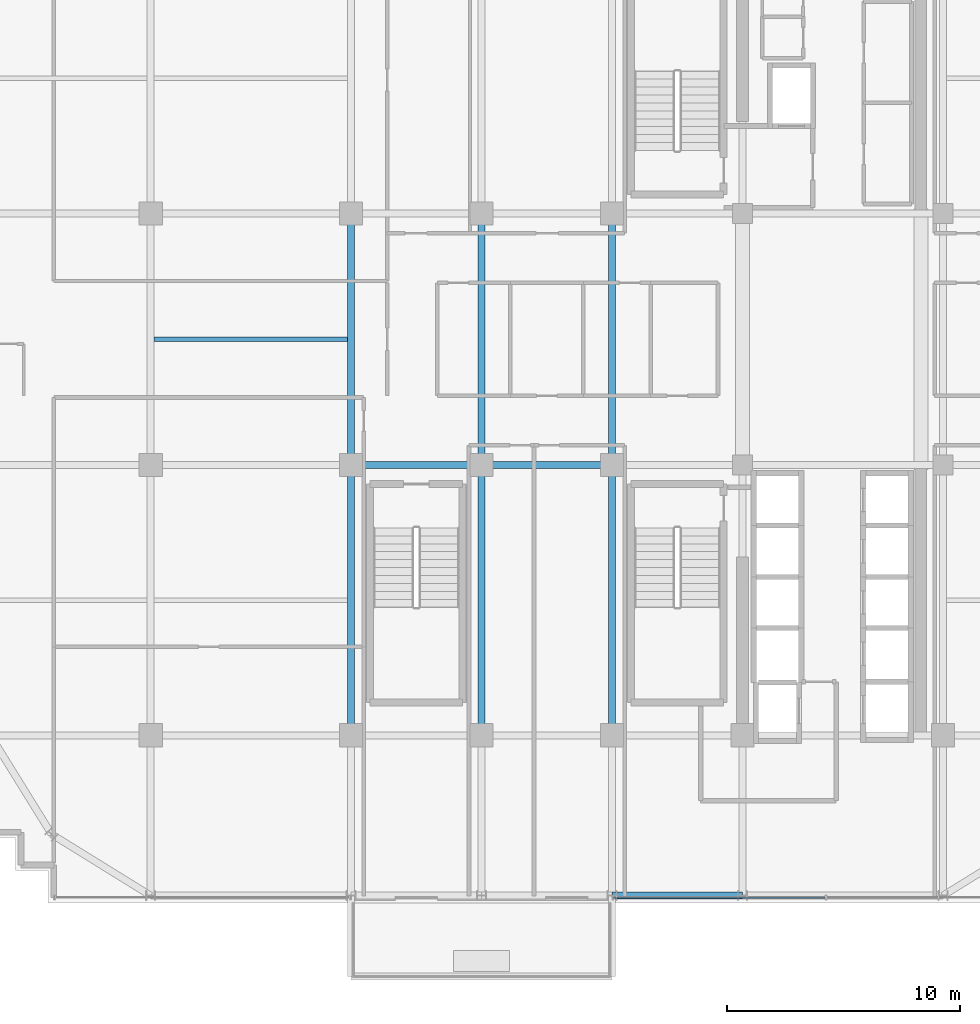
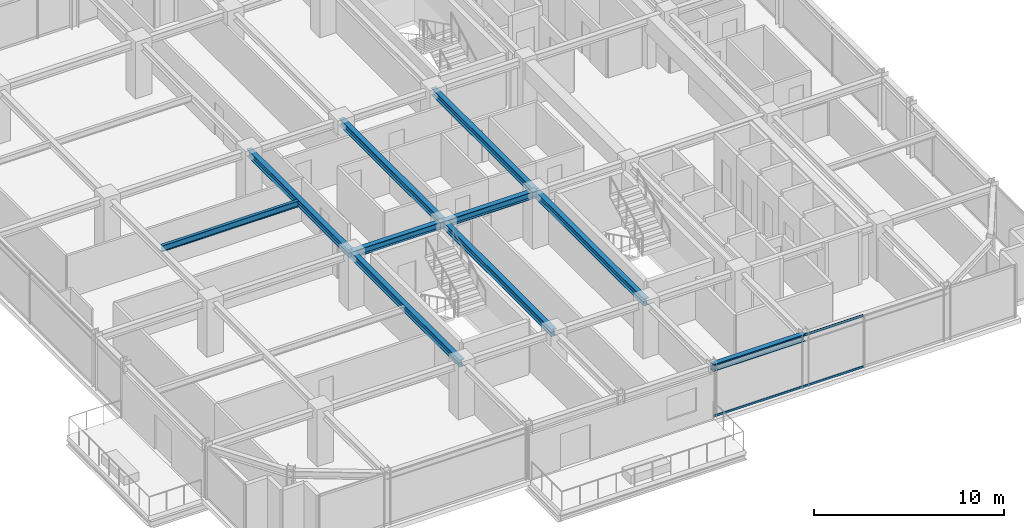
# One storey, part 10 of 32: 10 beams, 2 members, 1 element without a shape of its own.
"""IFC4 building model written with IfcOpenShell, lengths in metres."""

from ifc_helpers import new_model, si_unit, direction, frame, origin, origin_2d, place, context, subcontext, project, spatial, hollow_rectangle, i_section, extrude, source, transform, mapped, material, material_profile, profile_set, type_object, element, aggregate, save


model = new_model("IFC4")

# Units and contexts
model_context = context("Model", 3, precision=1e-05, world=origin(), true_north=direction((0.0, 1.0)))
body_context = subcontext(model_context, "Body", "Model", "MODEL_VIEW")
ifc_project = project(units=[si_unit("LENGTHUNIT", "METRE"), si_unit("AREAUNIT", "SQUARE_METRE"), si_unit("VOLUMEUNIT", "CUBIC_METRE"), si_unit("PLANEANGLEUNIT", "RADIAN"), si_unit("MASSUNIT", "GRAM", prefix="KILO")], contexts=[model_context])

# Site, building, storey
site_placement = place(None, origin())
site = spatial("IfcSite", under=ifc_project, at=site_placement, CompositionType="ELEMENT")
building_placement = place(site_placement, origin())
building = spatial("IfcBuilding", under=site, at=building_placement, Name="Nahalor Promenade Grand Hotel", CompositionType="ELEMENT")
storey_placement = place(building_placement, frame((0.0, 0.0, 230.800048828125)))
storey = spatial("IfcBuildingStorey", under=building, at=storey_placement, Name="L59", CompositionType="ELEMENT", Elevation=230.800048828125)

# Beams
ifc_material_1 = material(Name="Steel S355JR", Category="steel")
ifc_material_profile_1 = material_profile(ifc_material_1, i_section(OverallWidth=0.3, OverallDepth=0.45, WebThickness=0.014, FlangeThickness=0.026, at=origin_2d()), Name="HEB 450")
ifc_profile_set_1 = profile_set([ifc_material_profile_1], Name="Steel S355JR")
beam_type_1 = type_object("IfcBeamType", Name="Beam-Spandrel-HEB450", PredefinedType="SPANDREL", material=ifc_profile_set_1)
shared_shape_1 = source(origin(), body_context, "Body", "SweptSolid", [
    extrude(i_section(OverallWidth=0.3, OverallDepth=0.45, WebThickness=0.014, FlangeThickness=0.026, at=origin_2d()), origin(), (0.0, 0.0, 1.0), 5.599853515625),
])
beam_1_placement = place(storey_placement, frame((2.800048828125, -23.8798828125, 3.18505859375), z_axis=(1.0, 0.0, 0.0), x_axis=(0.0, 1.0, 0.0)))
element("IfcBeam", 1, at=beam_1_placement, inside=storey, type_object=beam_type_1, Name="BM-L59-SP-S-3", PredefinedType="SPANDREL", context=body_context, shape_type="MappedRepresentation", body=[
    mapped(shared_shape_1, transform((0.0, 0.0, 0.0), scale=1.0)),
])
ifc_material_profile_2 = material_profile(ifc_material_1, i_section(OverallWidth=0.3, OverallDepth=0.45, WebThickness=0.014, FlangeThickness=0.026, at=origin_2d()), Name="HEB 450")
ifc_profile_set_2 = profile_set([ifc_material_profile_2], Name="Steel S355JR")
beam_type_2 = type_object("IfcBeamType", Name="Beam-Girder-HEB450", PredefinedType="BEAM", material=ifc_profile_set_2)
shared_shape_2 = source(origin(), body_context, "Body", "SweptSolid", [
    extrude(i_section(OverallWidth=0.3, OverallDepth=0.45, WebThickness=0.014, FlangeThickness=0.026, at=origin_2d()), origin(), (0.0, 0.0, 1.0), 5.599853515625),
])
beam_2_placement = place(storey_placement, frame((-8.39990234375, -5.39990234375, 3.18505859375), z_axis=(1.0, 0.0, 0.0), x_axis=(0.0, 1.0, 0.0)))
element("IfcBeam", 2, at=beam_2_placement, inside=storey, type_object=beam_type_2, Name="BM-L59-GX-1-2", PredefinedType="BEAM", context=body_context, shape_type="MappedRepresentation", body=[
    mapped(shared_shape_2, transform((0.0, 0.0, 0.0), scale=1.0)),
])
shared_shape_3 = source(origin(), body_context, "Body", "SweptSolid", [
    extrude(i_section(OverallWidth=0.3, OverallDepth=0.45, WebThickness=0.014, FlangeThickness=0.026, at=origin_2d()), origin(), (0.0, 0.0, 1.0), 5.60009765625),
])
beam_3_placement = place(storey_placement, frame((-2.800048828125, -5.39990234375, 3.18505859375), z_axis=(1.0, 0.0, 0.0), x_axis=(0.0, 1.0, 0.0)))
element("IfcBeam", 3, at=beam_3_placement, inside=storey, type_object=beam_type_2, Name="BM-L59-GX-1-3", PredefinedType="BEAM", context=body_context, shape_type="MappedRepresentation", body=[
    mapped(shared_shape_3, transform((0.0, 0.0, 0.0), scale=1.0)),
])
shared_shape_4 = source(origin(), body_context, "Body", "SweptSolid", [
    extrude(i_section(OverallWidth=0.3, OverallDepth=0.45, WebThickness=0.014, FlangeThickness=0.026, at=origin_2d()), origin(), (0.0, 0.0, 1.0), 11.60009765625),
])
for number, where, z_axis, x_axis, name in (
    (4, (-8.39990234375, -17.0, 3.18505859375), (0.0, 1.0, 0.0), (-1.0, 0.0, 0.0), "BM-L59-GY-1-1"),
    (5, (-2.800048828125, -17.0, 3.18505859375), (0.0, 1.0, 0.0), (-1.0, 0.0, 0.0), "BM-L59-GY-2-1"),
    (6, (2.800048828125, -17.0, 3.18505859375), (0.0, 1.0, 0.0), (-1.0, 0.0, 0.0), "BM-L59-GY-3-1"),
):
    element("IfcBeam", number, at=place(storey_placement, frame(where, z_axis=z_axis, x_axis=x_axis)), inside=storey, type_object=beam_type_2, Name=name, PredefinedType="BEAM", context=body_context, shape_type="MappedRepresentation", body=[
        mapped(shared_shape_4, transform((0.0, 0.0, 0.0), scale=1.0)),
    ])
shared_shape_5 = source(origin(), body_context, "Body", "SweptSolid", [
    extrude(i_section(OverallWidth=0.3, OverallDepth=0.45, WebThickness=0.014, FlangeThickness=0.026, at=origin_2d()), origin(), (0.0, 0.0, 1.0), 10.7998046875),
])
for number, where, z_axis, x_axis, name in (
    (7, (-8.39990234375, -5.39990234375, 3.18505859375), (0.0, 1.0, 0.0), (-1.0, 0.0, 0.0), "BM-L59-GY-1-2"),
    (8, (-2.800048828125, -5.39990234375, 3.18505859375), (0.0, 1.0, 0.0), (-1.0, 0.0, 0.0), "BM-L59-GY-2-2"),
    (9, (2.800048828125, -5.39990234375, 3.18505859375), (0.0, 1.0, 0.0), (-1.0, 0.0, 0.0), "BM-L59-GY-3-2"),
):
    element("IfcBeam", number, at=place(storey_placement, frame(where, z_axis=z_axis, x_axis=x_axis)), inside=storey, type_object=beam_type_2, Name=name, PredefinedType="BEAM", context=body_context, shape_type="MappedRepresentation", body=[
        mapped(shared_shape_5, transform((0.0, 0.0, 0.0), scale=1.0)),
    ])
ifc_material_profile_3 = material_profile(ifc_material_1, i_section(OverallWidth=0.18, OverallDepth=0.4, WebThickness=0.0086, FlangeThickness=0.0135, at=origin_2d()), Name="IPE 400")
ifc_profile_set_3 = profile_set([ifc_material_profile_3], Name="Steel S355JR")
beam_type_3 = type_object("IfcBeamType", Name="Beam-Joist-IPE400", PredefinedType="JOIST", material=ifc_profile_set_3)
shared_shape_6 = source(origin(), body_context, "Body", "SweptSolid", [
    extrude(i_section(OverallWidth=0.18, OverallDepth=0.4, WebThickness=0.0086, FlangeThickness=0.0135, at=origin_2d()), origin(), (0.0, 0.0, 1.0), 8.300048828125),
])
beam_4_placement = place(storey_placement, frame((-16.85009765625, 0.0, 3.2099609375), z_axis=(1.0, 0.0, 0.0), x_axis=(0.0, 1.0, 0.0)))
element("IfcBeam", 10, at=beam_4_placement, inside=storey, type_object=beam_type_3, Name="BM-L59-JSC-0", PredefinedType="JOIST", context=body_context, shape_type="MappedRepresentation", body=[
    mapped(shared_shape_6, transform((0.0, 0.0, 0.0), scale=1.0)),
])

# Curtain wall, members
ifc_material_2 = material(Name="Anodised Bronze Aluminium EN AW-6063 T6", Category="aluminium")
curtain_wall_type = type_object("IfcCurtainWallType", Name="CW2 Typical Hotel Flush Bronze Unitised Curtain Wall", PredefinedType="USERDEFINED", material=ifc_material_2)
curtain_wall_placement = place(storey_placement, origin())
curtain_wall = element("IfcCurtainWall", 11, at=curtain_wall_placement, inside=storey, type_object=curtain_wall_type, Name="L59 Curtain Wall CW-L59-S-3", ObjectType="UNITISED_CURTAIN_WALL", PredefinedType="USERDEFINED")
ifc_material_profile_4 = material_profile(ifc_material_2, hollow_rectangle(XDim=0.065, YDim=0.13, WallThickness=0.004, at=origin_2d()), Name="CWT 65x130x4")
ifc_profile_set_4 = profile_set([ifc_material_profile_4], Name="Anodised Bronze Aluminium EN AW-6063 T6")
member_type = type_object("IfcMemberType", Name="CWT2 Typical Bronze Transom 65x130", PredefinedType="USERDEFINED", material=ifc_profile_set_4)
shared_shape_7 = source(origin(), body_context, "Body", "SweptSolid", [
    extrude(hollow_rectangle(XDim=0.065, YDim=0.13, WallThickness=0.004, at=origin_2d()), origin(), (0.0, 0.0, 1.0), 9.08251953125),
])
member_1_placement = place(storey_placement, frame((2.864990234375, -23.9599609375, 0.06494140625), z_axis=(1.0, 0.0, 0.0), x_axis=(0.0, 1.0, 0.0)))
member_1 = element("IfcMember", 12, at=member_1_placement, type_object=member_type, Name="CW-L59-S-3 Transom 0-0", ObjectType="TRANSOM", PredefinedType="USERDEFINED", context=body_context, shape_type="MappedRepresentation", body=[
    mapped(shared_shape_7, transform((0.0, 0.0, 0.0), scale=1.0)),
])
member_2_placement = place(storey_placement, frame((2.864990234375, -23.9599609375, 3.344970703125), z_axis=(1.0, 0.0, 0.0), x_axis=(0.0, 1.0, 0.0)))
member_2 = element("IfcMember", 13, at=member_2_placement, type_object=member_type, Name="CW-L59-S-3 Transom 0-1", ObjectType="TRANSOM", PredefinedType="USERDEFINED", context=body_context, shape_type="MappedRepresentation", body=[
    mapped(shared_shape_7, transform((0.0, 0.0, 0.0), scale=1.0)),
])
aggregate(curtain_wall, [member_1, member_2])

save(model, "model.ifc")
